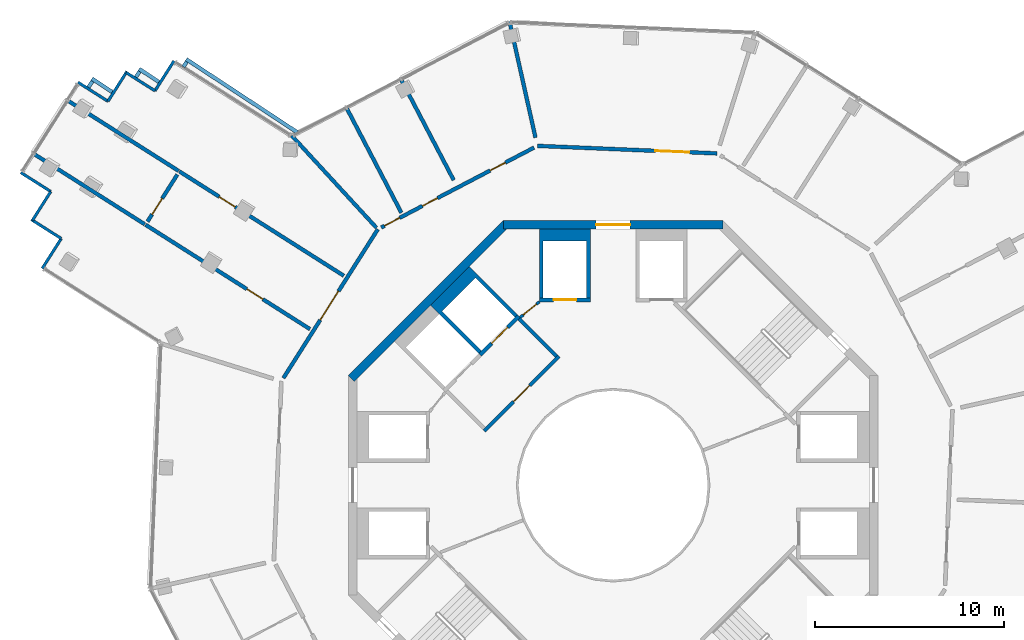
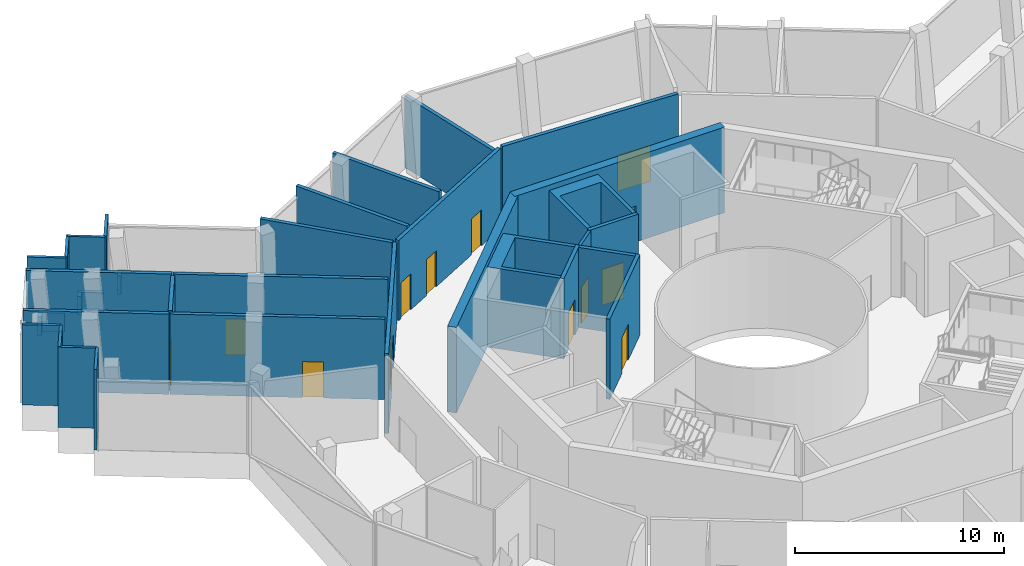
# One storey, part 13 of 21: 35 walls, 13 doors, 13 openings.
"""IFC4 building model written with IfcOpenShell, lengths in metres."""

from ifc_helpers import new_model, si_unit, direction, frame, frame_2d, origin, place, context, subcontext, project, spatial, polyline, rectangle, outline, extrude, material, layer, layer_set, type_object, element, fill, save


model = new_model("IFC4")

# Units and contexts
model_context = context("Model", 3, precision=1e-05, world=origin(), true_north=direction((0.0, 1.0)))
body_context = subcontext(model_context, "Body", "Model", "MODEL_VIEW")
ifc_project = project(units=[si_unit("LENGTHUNIT", "METRE"), si_unit("AREAUNIT", "SQUARE_METRE"), si_unit("VOLUMEUNIT", "CUBIC_METRE"), si_unit("PLANEANGLEUNIT", "RADIAN"), si_unit("MASSUNIT", "GRAM", prefix="KILO")], contexts=[model_context])

# Site, building, storey
site_placement = place(None, origin())
site = spatial("IfcSite", under=ifc_project, at=site_placement, CompositionType="ELEMENT")
building_placement = place(site_placement, origin())
building = spatial("IfcBuilding", under=site, at=building_placement, Name="Verdalira Terraces Hotel", CompositionType="ELEMENT")
storey_placement = place(building_placement, frame((0.0, 0.0, 269.0)))
storey = spatial("IfcBuildingStorey", under=building, at=storey_placement, Name="L66", CompositionType="ELEMENT", Elevation=269.0)

# Wall
ifc_material_1 = material(Name="Concrete C50", Category="concrete")
ifc_layer_1 = layer(ifc_material_1, 0.199951171875)
ifc_layer_set_1 = layer_set([ifc_layer_1], Name="Core RC wall 200 C50")
wall_type_1 = type_object("IfcWallType", Name="Core RC wall 200 C50", PredefinedType="SOLIDWALL", material=ifc_layer_set_1)
wall_1_placement = place(storey_placement, origin())
element("IfcWall", 1, at=wall_1_placement, inside=storey, type_object=wall_type_1, Name="L66 shaft wall N2", PredefinedType="SOLIDWALL", context=body_context, shape_type="SweptSolid", body=[
    extrude(outline(polyline([(-3.899902, 13.550049), (-1.199951, 13.550049), (-1.199951, 9.899902), (-1.399902, 9.899902), (-1.399902, 12.899902), (-3.699951, 12.899902), (-3.699951, 9.899902), (-3.899902, 9.899902), (-3.899902, 13.550049)])), origin(), (0.0, 0.0, 1.0), 4.689941),
])

# Wall, opening, door
wall_2_placement = place(storey_placement, frame((-1.199951, 9.800049, 0.0), z_axis=(0.0, 0.0, 1.0), x_axis=(-1.0, 0.0, 0.0)))
wall_2 = element("IfcWall", 2, at=wall_2_placement, inside=storey, type_object=wall_type_1, Name="L66 shaft front wall N2", PredefinedType="SOLIDWALL", context=body_context, shape_type="SweptSolid", body=[
    extrude(rectangle(XDim=2.699951, YDim=0.199951, at=frame_2d((1.350098, 0.0))), origin(), (0.0, 0.0, 1.0), 4.689941),
])
opening_1_placement = place(wall_2_placement, frame((0.75, 0.0, 0.0)))
opening_1 = element("IfcOpeningElement", 3, at=opening_1_placement, cuts=wall_2, Name="Opening LD-L66-805", PredefinedType="OPENING", context=body_context, shape_type="SweptSolid", body=[
    extrude(rectangle(XDim=1.199951, YDim=2.100098, at=frame_2d((0.600098, 1.050049))), frame((0.0, 0.109863, 0.0), z_axis=(0.0, -1.0, 0.0), x_axis=(1.0, 0.0, 0.0)), (0.0, 0.0, 1.0), 0.219971),
])
ifc_material_2 = material(Name="Stainless steel", Category="steel")
door_type_1 = type_object("IfcDoorType", Name="Landing door 1200 x 2100", OperationType="NOTDEFINED", PredefinedType="DOOR", material=ifc_material_2)
door_1_placement = place(opening_1_placement, origin())
door_1 = element("IfcDoor", 4, at=door_1_placement, inside=storey, type_object=door_type_1, Name="Lift landing door HR4 L66", OperationType="DOUBLE_DOOR_SLIDING", OverallHeight=2.10009765625, OverallWidth=1.199951171875, PredefinedType="DOOR", context=body_context, shape_type="SweptSolid", body=[
    extrude(rectangle(XDim=1.199951, YDim=2.100098, at=frame_2d((0.600098, 1.050049))), frame((0.0, 0.024902, 0.0), z_axis=(0.0, -1.0, 0.0), x_axis=(1.0, 0.0, 0.0)), (0.0, 0.0, 1.0), 0.050049),
])
fill(opening_1, door_1)

# Wall
wall_3_placement = place(storey_placement, origin())
element("IfcWall", 5, at=wall_3_placement, inside=storey, type_object=wall_type_1, Name="L66 shaft wall F1", PredefinedType="SOLIDWALL", context=body_context, shape_type="SweptSolid", body=[
    extrude(outline(polyline([(-9.6521, 9.510498), (-7.601318, 11.561279), (-5.055908, 9.015625), (-5.197266, 8.874268), (-7.283203, 10.960205), (-9.051025, 9.192383), (-6.965088, 7.106445), (-7.106445, 6.965088), (-9.6521, 9.510498)])), origin(), (0.0, 0.0, 1.0), 4.689941),
])

# Wall, opening, door
wall_4_placement = place(storey_placement, frame((-4.985107, 8.944824, 0.0), z_axis=(0.0, 0.0, 1.0), x_axis=(-0.707106781, -0.707106781, 0.0)))
wall_4 = element("IfcWall", 6, at=wall_4_placement, inside=storey, type_object=wall_type_1, Name="L66 shaft front wall F1", PredefinedType="SOLIDWALL", context=body_context, shape_type="SweptSolid", body=[
    extrude(rectangle(XDim=2.899902, YDim=0.199951, at=frame_2d((1.449951, 0.0))), origin(), (0.0, 0.0, 1.0), 4.689941),
])
opening_2_placement = place(wall_4_placement, frame((0.850098, 0.0, 0.0)))
opening_2 = element("IfcOpeningElement", 7, at=opening_2_placement, cuts=wall_4, Name="Opening LD-L66-808", PredefinedType="OPENING", context=body_context, shape_type="SweptSolid", body=[
    extrude(rectangle(XDim=1.199951, YDim=2.100098, at=frame_2d((0.600098, 1.050049))), frame((0.0, 0.109863, 0.0), z_axis=(0.0, -1.0, 0.0), x_axis=(1.0, 0.0, 0.0)), (0.0, 0.0, 1.0), 0.219971),
])
door_2_placement = place(opening_2_placement, origin())
door_2 = element("IfcDoor", 8, at=door_2_placement, inside=storey, type_object=door_type_1, Name="Lift landing door LF11 L66", OperationType="DOUBLE_DOOR_SLIDING", OverallHeight=2.10009765625, OverallWidth=1.199951171875, PredefinedType="DOOR", context=body_context, shape_type="SweptSolid", body=[
    extrude(rectangle(XDim=1.199951, YDim=2.100098, at=frame_2d((0.600098, 1.050049))), frame((0.0, 0.024902, 0.0), z_axis=(0.0, -1.0, 0.0), x_axis=(1.0, 0.0, 0.0)), (0.0, 0.0, 1.0), 0.050049),
])
fill(opening_2, door_2)

wall_5_placement = place(storey_placement, frame((-2.86377, 6.823486, 0.0), z_axis=(0.0, 0.0, 1.0), x_axis=(-0.707106781, -0.707106781, 0.0)))
wall_5 = element("IfcWall", 9, at=wall_5_placement, inside=storey, type_object=wall_type_1, Name="L66 fire lobby wall", PredefinedType="SOLIDWALL", context=body_context, shape_type="SweptSolid", body=[
    extrude(rectangle(XDim=5.599854, YDim=0.199951, at=frame_2d((2.799805, 0.0))), origin(), (0.0, 0.0, 1.0), 4.689941),
])
opening_3_placement = place(wall_5_placement, frame((2.199951, 0.0, 0.0)))
opening_3 = element("IfcOpeningElement", 10, at=opening_3_placement, cuts=wall_5, Name="Opening L66-819", PredefinedType="OPENING", context=body_context, shape_type="SweptSolid", body=[
    extrude(rectangle(XDim=1.199951, YDim=2.100098, at=frame_2d((0.600098, 1.050049))), frame((0.0, 0.109863, 0.0), z_axis=(0.0, -1.0, 0.0), x_axis=(1.0, 0.0, 0.0)), (0.0, 0.0, 1.0), 0.219971),
])
ifc_material_3 = material(Name="Steel fire door", Category="steel")
door_type_2 = type_object("IfcDoorType", Name="Lobby door 1200 x 2100", OperationType="NOTDEFINED", PredefinedType="DOOR", material=ifc_material_3)
door_3_placement = place(opening_3_placement, origin())
door_3 = element("IfcDoor", 11, at=door_3_placement, inside=storey, type_object=door_type_2, Name="Fire lobby door L66", OperationType="SINGLE_SWING_LEFT", OverallHeight=2.10009765625, OverallWidth=1.199951171875, PredefinedType="DOOR", context=body_context, shape_type="SweptSolid", body=[
    extrude(rectangle(XDim=1.199951, YDim=2.100098, at=frame_2d((0.600098, 1.050049))), frame((0.0, 0.024902, 0.0), z_axis=(0.0, -1.0, 0.0), x_axis=(1.0, 0.0, 0.0)), (0.0, 0.0, 1.0), 0.050049),
])
fill(opening_3, door_3)

# Wall
wall_6_placement = place(storey_placement, frame((-3.005127, 6.823486, 0.0), z_axis=(0.0, 0.0, 1.0), x_axis=(-0.707106781, 0.707106781, 0.0)))
element("IfcWall", 12, at=wall_6_placement, inside=storey, type_object=wall_type_1, Name="L66 fire lobby wall", PredefinedType="SOLIDWALL", context=body_context, shape_type="SweptSolid", body=[
    extrude(rectangle(XDim=2.800049, YDim=0.199951, at=frame_2d((1.399902, 0.0))), origin(), (0.0, 0.0, 1.0), 4.689941),
])

# Wall, opening, door
ifc_material_4 = material(Name="Gypsum board partition")
ifc_layer_2 = layer(ifc_material_4, 0.14990234375)
ifc_layer_set_2 = layer_set([ifc_layer_2], Name="Core partition 150 mm")
wall_type_2 = type_object("IfcWallType", Name="Core partition 150 mm", PredefinedType="PARTITIONING", material=ifc_layer_set_2)
wall_7_placement = place(storey_placement, frame((-3.899902, 9.699951, 0.0), z_axis=(0.0, 0.0, 1.0), x_axis=(-0.775559878, -0.631274009, 0.0)))
wall_7 = element("IfcWall", 13, at=wall_7_placement, inside=storey, type_object=wall_type_2, Name="Room partition L66", PredefinedType="PARTITIONING", context=body_context, shape_type="SweptSolid", body=[
    extrude(rectangle(XDim=1.307861, YDim=0.149902, at=frame_2d((0.653809, 0.0))), origin(), (0.0, 0.0, 1.0), 4.689941),
])
opening_4_placement = place(wall_7_placement, frame((0.204102, 0.0, 0.0)))
opening_4 = element("IfcOpeningElement", 14, at=opening_4_placement, cuts=wall_7, Name="Opening L66-820", PredefinedType="OPENING", context=body_context, shape_type="SweptSolid", body=[
    extrude(rectangle(XDim=0.899902, YDim=2.100098, at=frame_2d((0.449951, 1.050049))), frame((0.0, 0.084961, 0.0), z_axis=(0.0, -1.0, 0.0), x_axis=(1.0, 0.0, 0.0)), (0.0, 0.0, 1.0), 0.169922),
])
ifc_material_5 = material(Name="Steel fire door", Category="steel")
door_type_3 = type_object("IfcDoorType", Name="Core room door 900 x 2100", OperationType="NOTDEFINED", PredefinedType="DOOR", material=ifc_material_5)
door_4_placement = place(opening_4_placement, origin())
door_4 = element("IfcDoor", 15, at=door_4_placement, inside=storey, type_object=door_type_3, Name="Door L66 room2", OperationType="SINGLE_SWING_LEFT", OverallHeight=2.10009765625, OverallWidth=0.89990234375, PredefinedType="DOOR", context=body_context, shape_type="SweptSolid", body=[
    extrude(rectangle(XDim=0.899902, YDim=2.100098, at=frame_2d((0.449951, 1.050049))), frame((0.0, 0.024902, 0.0), z_axis=(0.0, -1.0, 0.0), x_axis=(1.0, 0.0, 0.0)), (0.0, 0.0, 1.0), 0.050049),
])
fill(opening_4, door_4)

ifc_material_6 = material(Name="Concrete C50", Category="concrete")
ifc_layer_3 = layer(ifc_material_6, 0.449951171875)
ifc_layer_set_3 = layer_set([ifc_layer_3], Name="Core wall 450 C50")
wall_type_3 = type_object("IfcWallType", Name="Core wall 450 C50", PredefinedType="SHEAR", material=ifc_layer_set_3)
wall_8_placement = place(storey_placement, frame((5.799072, 13.774902, 0.0), z_axis=(0.0, 0.0, 1.0), x_axis=(-1.0, 0.0, 0.0)))
wall_8 = element("IfcWall", 16, at=wall_8_placement, inside=storey, type_object=wall_type_3, Name="Core wall CW-L66-3", PredefinedType="SHEAR", context=body_context, shape_type="SweptSolid", body=[
    extrude(rectangle(XDim=11.598145, YDim=0.449951, at=frame_2d((5.799072, 0.0))), origin(), (0.0, 0.0, 1.0), 5.0),
])
opening_5_placement = place(wall_8_placement, frame((4.898926, 0.0, 0.0)))
opening_5 = element("IfcOpeningElement", 17, at=opening_5_placement, cuts=wall_8, Name="Opening L66-814", PredefinedType="OPENING", context=body_context, shape_type="SweptSolid", body=[
    extrude(rectangle(XDim=1.800049, YDim=2.100098, at=frame_2d((0.899902, 1.050049))), frame((0.0, 0.234863, 0.0), z_axis=(0.0, -1.0, 0.0), x_axis=(1.0, 0.0, 0.0)), (0.0, 0.0, 1.0), 0.469971),
])
ifc_material_7 = material(Name="Steel fire door", Category="steel")
door_type_4 = type_object("IfcDoorType", Name="Core entry door pair 1800 x 2100", OperationType="NOTDEFINED", PredefinedType="DOOR", material=ifc_material_7)
door_5_placement = place(opening_5_placement, origin())
door_5 = element("IfcDoor", 18, at=door_5_placement, inside=storey, type_object=door_type_4, Name="Core entry door L66 2", OperationType="DOUBLE_DOOR_SINGLE_SWING", OverallHeight=2.10009765625, OverallWidth=1.800048828125, PredefinedType="DOOR", context=body_context, shape_type="SweptSolid", body=[
    extrude(rectangle(XDim=1.800049, YDim=2.100098, at=frame_2d((0.899902, 1.050049))), frame((0.0, 0.024902, 0.0), z_axis=(0.0, -1.0, 0.0), x_axis=(1.0, 0.0, 0.0)), (0.0, 0.0, 1.0), 0.050049),
])
fill(opening_5, door_5)

# Walls
wall_9_placement = place(storey_placement, frame((-5.639893, 13.84082, 0.0), z_axis=(0.0, 0.0, 1.0), x_axis=(-0.707106781, -0.707106781, 0.0)))
element("IfcWall", 19, at=wall_9_placement, inside=storey, type_object=wall_type_3, Name="Core wall CW-L66-4", PredefinedType="SHEAR", context=body_context, shape_type="SweptSolid", body=[
    extrude(rectangle(XDim=11.5979, YDim=0.449951, at=frame_2d((5.798828, 0.0))), origin(), (0.0, 0.0, 1.0), 5.0),
])
ifc_material_8 = material(Name="Fire-rated gypsum board wall")
ifc_layer_4 = layer(ifc_material_8, 0.199951171875)
ifc_layer_set_4 = layer_set([ifc_layer_4], Name="Demising wall 200 mm")
wall_type_4 = type_object("IfcWallType", Name="Demising wall 200 mm", PredefinedType="SOLIDWALL", material=ifc_layer_set_4)
wall_10_placement = place(storey_placement, frame((-30.678223, 17.548584, 0.0), z_axis=(0.0, 0.0, 1.0), x_axis=(0.844311514, -0.535852654, 0.0)))
element("IfcWall", 20, at=wall_10_placement, inside=storey, type_object=wall_type_4, Name="Demising wall", PredefinedType="SOLIDWALL", context=body_context, shape_type="SweptSolid", body=[
    extrude(rectangle(XDim=6.999023, YDim=0.199951, at=frame_2d((3.499512, 0.0))), origin(), (0.0, 0.0, 1.0), 4.689941),
])
wall_11_placement = place(storey_placement, frame((-22.978516, 16.619385, 0.0), z_axis=(0.0, 0.0, 1.0), x_axis=(-0.844343077, 0.535802919, 0.0)))
element("IfcWall", 21, at=wall_11_placement, inside=storey, type_object=wall_type_4, Name="Demising wall", PredefinedType="SOLIDWALL", context=body_context, shape_type="SweptSolid", body=[
    extrude(rectangle(XDim=6.998779, YDim=0.199951, at=frame_2d((3.499512, 0.0))), origin(), (0.0, 0.0, 1.0), 4.689941),
])

# Wall, opening, door
wall_12_placement = place(storey_placement, frame((-24.621094, 13.941406, 0.0), z_axis=(0.0, 0.0, 1.0), x_axis=(0.535865404, 0.844303422, 0.0)))
wall_12 = element("IfcWall", 22, at=wall_12_placement, inside=storey, type_object=wall_type_4, Name="Demising wall", PredefinedType="SOLIDWALL", context=body_context, shape_type="SweptSolid", body=[
    extrude(rectangle(XDim=2.941406, YDim=0.199951, at=frame_2d((1.470703, 0.0))), origin(), (0.0, 0.0, 1.0), 4.689941),
])
opening_6_placement = place(wall_12_placement, frame((0.449951, 0.0, 0.0)))
opening_6 = element("IfcOpeningElement", 23, at=opening_6_placement, cuts=wall_12, Name="Opening L66-104", PredefinedType="OPENING", context=body_context, shape_type="SweptSolid", body=[
    extrude(rectangle(XDim=1.0, YDim=2.100098, at=frame_2d((0.5, 1.050049))), frame((0.0, 0.109863, 0.0), z_axis=(0.0, -1.0, 0.0), x_axis=(1.0, 0.0, 0.0)), (0.0, 0.0, 1.0), 0.219971),
])
ifc_material_9 = material(Name="Timber fire door", Category="wood")
door_type_5 = type_object("IfcDoorType", Name="Public room door 1000 x 2100", OperationType="NOTDEFINED", PredefinedType="DOOR", material=ifc_material_9)
door_6_placement = place(opening_6_placement, origin())
door_6 = element("IfcDoor", 24, at=door_6_placement, inside=storey, type_object=door_type_5, Name="Public room door 6601", OperationType="SINGLE_SWING_LEFT", OverallHeight=2.10009765625, OverallWidth=1.0, PredefinedType="DOOR", context=body_context, shape_type="SweptSolid", body=[
    extrude(rectangle(XDim=1.0, YDim=2.100098, at=frame_2d((0.5, 1.050049))), frame((0.0, 0.024902, 0.0), z_axis=(0.0, -1.0, 0.0), x_axis=(1.0, 0.0, 0.0)), (0.0, 0.0, 1.0), 0.050049),
])
fill(opening_6, door_6)

wall_13_placement = place(storey_placement, frame((-16.031494, 8.253418, 0.0), z_axis=(0.0, 0.0, 1.0), x_axis=(-0.844319523, 0.535840034, 0.0)))
wall_13 = element("IfcWall", 25, at=wall_13_placement, inside=storey, type_object=wall_type_4, Name="Demising wall", PredefinedType="SOLIDWALL", context=body_context, shape_type="SweptSolid", body=[
    extrude(rectangle(XDim=10.302002, YDim=0.199951, at=frame_2d((5.150879, 0.0))), origin(), (0.0, 0.0, 1.0), 4.689941),
])
opening_7_placement = place(wall_13_placement, frame((2.949951, 0.0, 0.0)))
opening_7 = element("IfcOpeningElement", 26, at=opening_7_placement, cuts=wall_13, Name="Opening L66-103", PredefinedType="OPENING", context=body_context, shape_type="SweptSolid", body=[
    extrude(rectangle(XDim=1.0, YDim=2.100098, at=frame_2d((0.5, 1.050049))), frame((0.0, 0.109863, 0.0), z_axis=(0.0, -1.0, 0.0), x_axis=(1.0, 0.0, 0.0)), (0.0, 0.0, 1.0), 0.219971),
])
door_7_placement = place(opening_7_placement, origin())
door_7 = element("IfcDoor", 27, at=door_7_placement, inside=storey, type_object=door_type_5, Name="Public room door 6601", OperationType="SINGLE_SWING_LEFT", OverallHeight=2.10009765625, OverallWidth=1.0, PredefinedType="DOOR", context=body_context, shape_type="SweptSolid", body=[
    extrude(rectangle(XDim=1.0, YDim=2.100098, at=frame_2d((0.5, 1.050049))), frame((0.0, 0.024902, 0.0), z_axis=(0.0, -1.0, 0.0), x_axis=(1.0, 0.0, 0.0)), (0.0, 0.0, 1.0), 0.050049),
])
fill(opening_7, door_7)

wall_14_placement = place(storey_placement, frame((-22.939453, 16.594482, 0.0), z_axis=(0.0, 0.0, 1.0), x_axis=(0.844330245, -0.53582314, 0.0)))
wall_14 = element("IfcWall", 28, at=wall_14_placement, inside=storey, type_object=wall_type_4, Name="Demising wall", PredefinedType="SOLIDWALL", context=body_context, shape_type="SweptSolid", body=[
    extrude(rectangle(XDim=10.302002, YDim=0.199951, at=frame_2d((5.150879, 0.0))), origin(), (0.0, 0.0, 1.0), 4.689941),
])
opening_8_placement = place(wall_14_placement, frame((2.5, 0.0, 0.0)))
opening_8 = element("IfcOpeningElement", 29, at=opening_8_placement, cuts=wall_14, Name="Opening L66-102", PredefinedType="OPENING", context=body_context, shape_type="SweptSolid", body=[
    extrude(rectangle(XDim=1.0, YDim=2.100098, at=frame_2d((0.5, 1.050049))), frame((0.0, 0.109863, 0.0), z_axis=(0.0, -1.0, 0.0), x_axis=(1.0, 0.0, 0.0)), (0.0, 0.0, 1.0), 0.219971),
])
door_8_placement = place(opening_8_placement, origin())
door_8 = element("IfcDoor", 30, at=door_8_placement, inside=storey, type_object=door_type_5, Name="Public room door 6601", OperationType="SINGLE_SWING_LEFT", OverallHeight=2.10009765625, OverallWidth=1.0, PredefinedType="DOOR", context=body_context, shape_type="SweptSolid", body=[
    extrude(rectangle(XDim=1.0, YDim=2.100098, at=frame_2d((0.5, 1.050049))), frame((0.0, 0.024902, 0.0), z_axis=(0.0, -1.0, 0.0), x_axis=(1.0, 0.0, 0.0)), (0.0, 0.0, 1.0), 0.050049),
])
fill(opening_8, door_8)

ifc_material_10 = material(Name="Fire-rated gypsum board wall")
ifc_layer_5 = layer(ifc_material_10, 0.199951171875)
ifc_layer_set_5 = layer_set([ifc_layer_5], Name="Guest corridor wall 200 mm")
wall_type_5 = type_object("IfcWallType", Name="Guest corridor wall 200 mm", PredefinedType="SOLIDWALL", material=ifc_layer_set_5)
wall_15_placement = place(storey_placement, frame((-17.436279, 5.666748, 0.0), z_axis=(0.0, 0.0, 1.0), x_axis=(0.535837373, 0.844321212, 0.0)))
wall_15 = element("IfcWall", 31, at=wall_15_placement, inside=storey, type_object=wall_type_5, Name="Guest corridor wall", PredefinedType="SOLIDWALL", context=body_context, shape_type="SweptSolid", body=[
    extrude(rectangle(XDim=9.31665, YDim=0.199951, at=frame_2d((4.658203, 0.0))), origin(), (0.0, 0.0, 1.0), 4.689941),
])
opening_9_placement = place(wall_15_placement, frame((3.636719, 0.0, 0.0)))
opening_9 = element("IfcOpeningElement", 32, at=opening_9_placement, cuts=wall_15, Name="Opening L66-101", PredefinedType="OPENING", context=body_context, shape_type="SweptSolid", body=[
    extrude(rectangle(XDim=1.800049, YDim=2.100098, at=frame_2d((0.899902, 1.050049))), frame((0.0, 0.109863, 0.0), z_axis=(0.0, -1.0, 0.0), x_axis=(1.0, 0.0, 0.0)), (0.0, 0.0, 1.0), 0.219971),
])
ifc_material_11 = material(Name="Timber fire door", Category="wood")
door_type_6 = type_object("IfcDoorType", Name="Public room double door 1800 x 2100", OperationType="NOTDEFINED", PredefinedType="DOOR", material=ifc_material_11)
door_9_placement = place(opening_9_placement, origin())
door_9 = element("IfcDoor", 33, at=door_9_placement, inside=storey, type_object=door_type_6, Name="Public room double door 6601", OperationType="DOUBLE_DOOR_SINGLE_SWING", OverallHeight=2.10009765625, OverallWidth=1.800048828125, PredefinedType="DOOR", context=body_context, shape_type="SweptSolid", body=[
    extrude(rectangle(XDim=1.800049, YDim=2.100098, at=frame_2d((0.899902, 1.050049))), frame((0.0, 0.024902, 0.0), z_axis=(0.0, -1.0, 0.0), x_axis=(1.0, 0.0, 0.0)), (0.0, 0.0, 1.0), 0.050049),
])
fill(opening_9, door_9)

# Wall, openings, doors
wall_16_placement = place(storey_placement, frame((-12.26709, 13.625488, 0.0), z_axis=(0.0, 0.0, 1.0), x_axis=(0.886199207, 0.463304399, 0.0)))
wall_16 = element("IfcWall", 34, at=wall_16_placement, inside=storey, type_object=wall_type_5, Name="Guest corridor wall", PredefinedType="SOLIDWALL", context=body_context, shape_type="SweptSolid", body=[
    extrude(rectangle(XDim=9.116943, YDim=0.199951, at=frame_2d((4.558594, 0.0))), origin(), (0.0, 0.0, 1.0), 4.689941),
])
opening_10_placement = place(wall_16_placement, frame((6.508301, 0.0, 0.0)))
opening_10 = element("IfcOpeningElement", 35, at=opening_10_placement, cuts=wall_16, Name="Opening L66-124", PredefinedType="OPENING", context=body_context, shape_type="SweptSolid", body=[
    extrude(rectangle(XDim=0.899902, YDim=2.100098, at=frame_2d((0.449951, 1.050049))), frame((0.0, 0.109863, 0.0), z_axis=(0.0, -1.0, 0.0), x_axis=(1.0, 0.0, 0.0)), (0.0, 0.0, 1.0), 0.219971),
])
opening_11_placement = place(wall_16_placement, frame((2.458252, 0.0, 0.0)))
opening_11 = element("IfcOpeningElement", 36, at=opening_11_placement, cuts=wall_16, Name="Opening L66-125", PredefinedType="OPENING", context=body_context, shape_type="SweptSolid", body=[
    extrude(rectangle(XDim=0.899902, YDim=2.100098, at=frame_2d((0.449951, 1.050049))), frame((0.0, 0.109863, 0.0), z_axis=(0.0, -1.0, 0.0), x_axis=(1.0, 0.0, 0.0)), (0.0, 0.0, 1.0), 0.219971),
])
opening_12_placement = place(wall_16_placement, frame((0.199951, 0.0, 0.0)))
opening_12 = element("IfcOpeningElement", 37, at=opening_12_placement, cuts=wall_16, Name="Opening L66-126", PredefinedType="OPENING", context=body_context, shape_type="SweptSolid", body=[
    extrude(rectangle(XDim=0.899902, YDim=2.100098, at=frame_2d((0.449951, 1.050049))), frame((0.0, 0.109863, 0.0), z_axis=(0.0, -1.0, 0.0), x_axis=(1.0, 0.0, 0.0)), (0.0, 0.0, 1.0), 0.219971),
])
ifc_material_12 = material(Name="Steel fire door", Category="steel")
door_type_7 = type_object("IfcDoorType", Name="Service room door 900 x 2100", OperationType="NOTDEFINED", PredefinedType="DOOR", material=ifc_material_12)
door_10_placement = place(opening_10_placement, origin())
door_10 = element("IfcDoor", 38, at=door_10_placement, inside=storey, type_object=door_type_7, Name="Service room door 6612", OperationType="SINGLE_SWING_LEFT", OverallHeight=2.10009765625, OverallWidth=0.89990234375, PredefinedType="DOOR", context=body_context, shape_type="SweptSolid", body=[
    extrude(rectangle(XDim=0.899902, YDim=2.100098, at=frame_2d((0.449951, 1.050049))), frame((0.0, 0.024902, 0.0), z_axis=(0.0, -1.0, 0.0), x_axis=(1.0, 0.0, 0.0)), (0.0, 0.0, 1.0), 0.050049),
])
fill(opening_10, door_10)
ifc_material_13 = material(Name="Timber fire door", Category="wood")
door_type_8 = type_object("IfcDoorType", Name="Toilet door 900 x 2100", OperationType="NOTDEFINED", PredefinedType="DOOR", material=ifc_material_13)
door_11_placement = place(opening_11_placement, origin())
door_11 = element("IfcDoor", 39, at=door_11_placement, inside=storey, type_object=door_type_8, Name="Toilet door 6613", OperationType="SINGLE_SWING_LEFT", OverallHeight=2.10009765625, OverallWidth=0.89990234375, PredefinedType="DOOR", context=body_context, shape_type="SweptSolid", body=[
    extrude(rectangle(XDim=0.899902, YDim=2.100098, at=frame_2d((0.449951, 1.050049))), frame((0.0, 0.024902, 0.0), z_axis=(0.0, -1.0, 0.0), x_axis=(1.0, 0.0, 0.0)), (0.0, 0.0, 1.0), 0.050049),
])
fill(opening_11, door_11)
door_12_placement = place(opening_12_placement, origin())
door_12 = element("IfcDoor", 40, at=door_12_placement, inside=storey, type_object=door_type_8, Name="Toilet door 6614", OperationType="SINGLE_SWING_LEFT", OverallHeight=2.10009765625, OverallWidth=0.89990234375, PredefinedType="DOOR", context=body_context, shape_type="SweptSolid", body=[
    extrude(rectangle(XDim=0.899902, YDim=2.100098, at=frame_2d((0.449951, 1.050049))), frame((0.0, 0.024902, 0.0), z_axis=(0.0, -1.0, 0.0), x_axis=(1.0, 0.0, 0.0)), (0.0, 0.0, 1.0), 0.050049),
])
fill(opening_12, door_12)

# Wall, opening, door
wall_17_placement = place(storey_placement, frame((-4.010498, 17.941895, 0.0), z_axis=(0.0, 0.0, 1.0), x_axis=(0.999123175, -0.041867432, 0.0)))
wall_17 = element("IfcWall", 41, at=wall_17_placement, inside=storey, type_object=wall_type_5, Name="Guest corridor wall", PredefinedType="SOLIDWALL", context=body_context, shape_type="SweptSolid", body=[
    extrude(rectangle(XDim=9.516602, YDim=0.199951, at=frame_2d((4.758301, 0.0))), origin(), (0.0, 0.0, 1.0), 4.689941),
])
opening_13_placement = place(wall_17_placement, frame((6.25, 0.0, 0.0)))
opening_13 = element("IfcOpeningElement", 42, at=opening_13_placement, cuts=wall_17, Name="Opening L66-123", PredefinedType="OPENING", context=body_context, shape_type="SweptSolid", body=[
    extrude(rectangle(XDim=1.800049, YDim=2.100098, at=frame_2d((0.899902, 1.050049))), frame((0.0, 0.109863, 0.0), z_axis=(0.0, -1.0, 0.0), x_axis=(1.0, 0.0, 0.0)), (0.0, 0.0, 1.0), 0.219971),
])
door_13_placement = place(opening_13_placement, origin())
door_13 = element("IfcDoor", 43, at=door_13_placement, inside=storey, type_object=door_type_6, Name="Public room double door 6611", OperationType="DOUBLE_DOOR_SINGLE_SWING", OverallHeight=2.10009765625, OverallWidth=1.800048828125, PredefinedType="DOOR", context=body_context, shape_type="SweptSolid", body=[
    extrude(rectangle(XDim=1.800049, YDim=2.100098, at=frame_2d((0.899902, 1.050049))), frame((0.0, 0.024902, 0.0), z_axis=(0.0, -1.0, 0.0), x_axis=(1.0, 0.0, 0.0)), (0.0, 0.0, 1.0), 0.050049),
])
fill(opening_13, door_13)

# Walls
ifc_material_14 = material(Name="Fire-rated gypsum board wall")
ifc_layer_6 = layer(ifc_material_14, 0.199951171875)
ifc_layer_set_6 = layer_set([ifc_layer_6], Name="Service room wall 200 mm")
wall_type_6 = type_object("IfcWallType", Name="Service room wall 200 mm", PredefinedType="SOLIDWALL", material=ifc_layer_set_6)
wall_18_placement = place(storey_placement, frame((-16.999023, 18.486328, 0.0), z_axis=(0.0, 0.0, 1.0), x_axis=(0.676860133, -0.736111649, 0.0)))
element("IfcWall", 44, at=wall_18_placement, inside=storey, type_object=wall_type_6, Name="Service room wall", PredefinedType="SOLIDWALL", context=body_context, shape_type="SweptSolid", body=[
    extrude(rectangle(XDim=6.625732, YDim=0.199951, at=frame_2d((3.312988, 0.0))), origin(), (0.0, 0.0, 1.0), 4.689941),
])
wall_19_placement = place(storey_placement, frame((-11.200195, 14.408936, 0.0), z_axis=(0.0, 0.0, 1.0), x_axis=(-0.463277036, 0.886213512, 0.0)))
element("IfcWall", 45, at=wall_19_placement, inside=storey, type_object=wall_type_6, Name="Service room wall", PredefinedType="SOLIDWALL", context=body_context, shape_type="SweptSolid", body=[
    extrude(rectangle(XDim=6.300049, YDim=0.199951, at=frame_2d((3.149902, 0.0))), origin(), (0.0, 0.0, 1.0), 4.689941),
])
wall_20_placement = place(storey_placement, frame((-8.43457, 16.133789, 0.0), z_axis=(0.0, 0.0, 1.0), x_axis=(-0.463290928, 0.886206249, 0.0)))
element("IfcWall", 46, at=wall_20_placement, inside=storey, type_object=wall_type_6, Name="Service room wall", PredefinedType="SOLIDWALL", context=body_context, shape_type="SweptSolid", body=[
    extrude(rectangle(XDim=6.052734, YDim=0.199951, at=frame_2d((3.026367, 0.0))), origin(), (0.0, 0.0, 1.0), 4.689941),
])
ifc_material_15 = material(Name="Fire-rated gypsum board wall")
ifc_layer_7 = layer(ifc_material_15, 0.199951171875)
ifc_layer_set_7 = layer_set([ifc_layer_7], Name="Service room wall 200 mm to beam soffit")
wall_type_7 = type_object("IfcWallType", Name="Service room wall 200 mm to beam soffit", PredefinedType="SOLIDWALL", material=ifc_layer_set_7)
wall_21_placement = place(storey_placement, frame((-4.108154, 18.378418, 0.0), z_axis=(0.0, 0.0, 1.0), x_axis=(-0.218135948, 0.975918392, 0.0)))
element("IfcWall", 47, at=wall_21_placement, inside=storey, type_object=wall_type_7, Name="Service room wall", PredefinedType="SOLIDWALL", context=body_context, shape_type="SweptSolid", body=[
    extrude(rectangle(XDim=6.282227, YDim=0.199951, at=frame_2d((3.141113, 0.0))), origin(), (0.0, 0.0, 1.0), 4.189941),
])
ifc_material_16 = material(Name="Terracotta cladding", Category="masonry")
ifc_layer_8 = layer(ifc_material_16, 0.199951171875)
ifc_layer_set_8 = layer_set([ifc_layer_8], Name="Terracotta clad parapet 200")
wall_type_8 = type_object("IfcWallType", Name="Terracotta clad parapet 200", PredefinedType="PARAPET", material=ifc_layer_set_8)
wall_22_placement = place(storey_placement, frame((-16.700439, 18.657715, 0.0), z_axis=(0.0, 0.0, 1.0), x_axis=(-0.835224129, 0.549909678, 0.0)))
element("IfcWall", 48, at=wall_22_placement, inside=storey, type_object=wall_type_8, Name="Terracotta clad parapet", PredefinedType="PARAPET", context=body_context, shape_type="SweptSolid", body=[
    extrude(rectangle(XDim=7.034668, YDim=0.199951, at=frame_2d((3.517334, 0.0))), origin(), (0.0, 0.0, 1.0), 1.100098),
])
wall_23_placement = place(storey_placement, frame((-22.547363, 22.387451, 0.0), z_axis=(0.0, 0.0, 1.0), x_axis=(-0.550289176, -0.834974145, 0.0)))
element("IfcWall", 49, at=wall_23_placement, inside=storey, type_object=wall_type_8, Name="Terracotta clad parapet", PredefinedType="PARAPET", context=body_context, shape_type="SweptSolid", body=[
    extrude(rectangle(XDim=0.319824, YDim=0.199951, at=frame_2d((0.159912, 0.0))), origin(), (0.0, 0.0, 1.0), 1.100098),
])
wall_24_placement = place(storey_placement, frame((-24.020752, 21.322266, 0.0), z_axis=(0.0, 0.0, 1.0), x_axis=(-0.835297215, 0.549798656, 0.0)))
element("IfcWall", 50, at=wall_24_placement, inside=storey, type_object=wall_type_8, Name="Terracotta clad parapet", PredefinedType="PARAPET", context=body_context, shape_type="SweptSolid", body=[
    extrude(rectangle(XDim=1.255371, YDim=0.199951, at=frame_2d((0.627686, 0.0))), origin(), (0.0, 0.0, 1.0), 1.100098),
])
wall_25_placement = place(storey_placement, frame((-25.040771, 21.874023, 0.0), z_axis=(0.0, 0.0, 1.0), x_axis=(-0.549706071, -0.835358148, 0.0)))
element("IfcWall", 51, at=wall_25_placement, inside=storey, type_object=wall_type_8, Name="Terracotta clad parapet", PredefinedType="PARAPET", context=body_context, shape_type="SweptSolid", body=[
    extrude(rectangle(XDim=0.350342, YDim=0.199951, at=frame_2d((0.175293, 0.0))), origin(), (0.0, 0.0, 1.0), 1.100098),
])
wall_26_placement = place(storey_placement, frame((-26.489014, 20.792236, 0.0), z_axis=(0.0, 0.0, 1.0), x_axis=(-0.835309179, 0.549780479, 0.0)))
element("IfcWall", 52, at=wall_26_placement, inside=storey, type_object=wall_type_8, Name="Terracotta clad parapet", PredefinedType="PARAPET", context=body_context, shape_type="SweptSolid", body=[
    extrude(rectangle(XDim=1.285156, YDim=0.199951, at=frame_2d((0.642578, 0.0))), origin(), (0.0, 0.0, 1.0), 1.100098),
])
wall_27_placement = place(storey_placement, frame((-27.533936, 21.360352, 0.0), z_axis=(0.0, 0.0, 1.0), x_axis=(-0.549957855, -0.835192407, 0.0)))
element("IfcWall", 53, at=wall_27_placement, inside=storey, type_object=wall_type_8, Name="Terracotta clad parapet", PredefinedType="PARAPET", context=body_context, shape_type="SweptSolid", body=[
    extrude(rectangle(XDim=0.380859, YDim=0.199951, at=frame_2d((0.19043, 0.0))), origin(), (0.0, 0.0, 1.0), 1.100098),
])
ifc_material_17 = material(Name="Terracotta cladding", Category="masonry")
ifc_layer_9 = layer(ifc_material_17, 0.14990234375)
ifc_layer_set_9 = layer_set([ifc_layer_9], Name="Terracotta clad wall 150")
wall_type_9 = type_object("IfcWallType", Name="Terracotta clad wall 150", PredefinedType="SOLIDWALL", material=ifc_layer_set_9)
wall_28_placement = place(storey_placement, frame((-23.223633, 22.436523, 0.0), z_axis=(0.0, 0.0, 1.0), x_axis=(-0.535838721, -0.844320357, 0.0)))
element("IfcWall", 54, at=wall_28_placement, inside=storey, type_object=wall_type_9, Name="Terracotta cladding wall", PredefinedType="SOLIDWALL", context=body_context, shape_type="SweptSolid", body=[
    extrude(rectangle(XDim=1.875, YDim=0.149902, at=frame_2d((0.9375, 0.0))), origin(), (0.0, 0.0, 1.0), 4.689941),
])
wall_29_placement = place(storey_placement, frame((-24.228271, 20.853516, 0.0), z_axis=(0.0, 0.0, 1.0), x_axis=(-0.844358921, 0.53577795, 0.0)))
element("IfcWall", 55, at=wall_29_placement, inside=storey, type_object=wall_type_9, Name="Terracotta cladding wall", PredefinedType="SOLIDWALL", context=body_context, shape_type="SweptSolid", body=[
    extrude(rectangle(XDim=1.799805, YDim=0.149902, at=frame_2d((0.899902, 0.0))), origin(), (0.0, 0.0, 1.0), 4.689941),
])
for number, where, z_axis, x_axis, name in (
    (56, (-25.707764, 21.881348, 0.0), (0.0, 0.0, 1.0), (-0.535779814, -0.844357739, 0.0), "Terracotta cladding wall"),
    (57, (-26.712402, 20.298096, 0.0), (0.0, 0.0, 1.0), (-0.844357739, 0.535779814, 0.0), "Terracotta cladding wall"),
    (58, (-31.322998, 16.532227, 0.0), (0.0, 0.0, 1.0), (0.844320357, -0.535838721, 0.0), "Terracotta cladding wall"),
):
    element("IfcWall", number, at=place(storey_placement, frame(where, z_axis=z_axis, x_axis=x_axis)), inside=storey, type_object=wall_type_9, Name=name, PredefinedType="SOLIDWALL", context=body_context, shape_type="SweptSolid", body=[
        extrude(rectangle(XDim=1.875, YDim=0.149902, at=frame_2d((0.9375, 0.0))), origin(), (0.0, 0.0, 1.0), 4.689941),
    ])
wall_30_placement = place(storey_placement, frame((-29.73999, 15.527588, 0.0), z_axis=(0.0, 0.0, 1.0), x_axis=(-0.53577795, -0.844358921, 0.0)))
element("IfcWall", 59, at=wall_30_placement, inside=storey, type_object=wall_type_9, Name="Terracotta cladding wall", PredefinedType="SOLIDWALL", context=body_context, shape_type="SweptSolid", body=[
    extrude(rectangle(XDim=1.799805, YDim=0.149902, at=frame_2d((0.899902, 0.0))), origin(), (0.0, 0.0, 1.0), 4.689941),
])
for number, where, z_axis, x_axis, name in (
    (60, (-30.767822, 14.048096, 0.0), (0.0, 0.0, 1.0), (0.844357739, -0.535779814, 0.0), "Terracotta cladding wall"),
    (61, (-29.18457, 13.043457, 0.0), (0.0, 0.0, 1.0), (-0.535779814, -0.844357739, 0.0), "Terracotta cladding wall"),
):
    element("IfcWall", number, at=place(storey_placement, frame(where, z_axis=z_axis, x_axis=x_axis)), inside=storey, type_object=wall_type_9, Name=name, PredefinedType="SOLIDWALL", context=body_context, shape_type="SweptSolid", body=[
        extrude(rectangle(XDim=1.875, YDim=0.149902, at=frame_2d((0.9375, 0.0))), origin(), (0.0, 0.0, 1.0), 4.689941),
    ])

save(model, "model.ifc")
